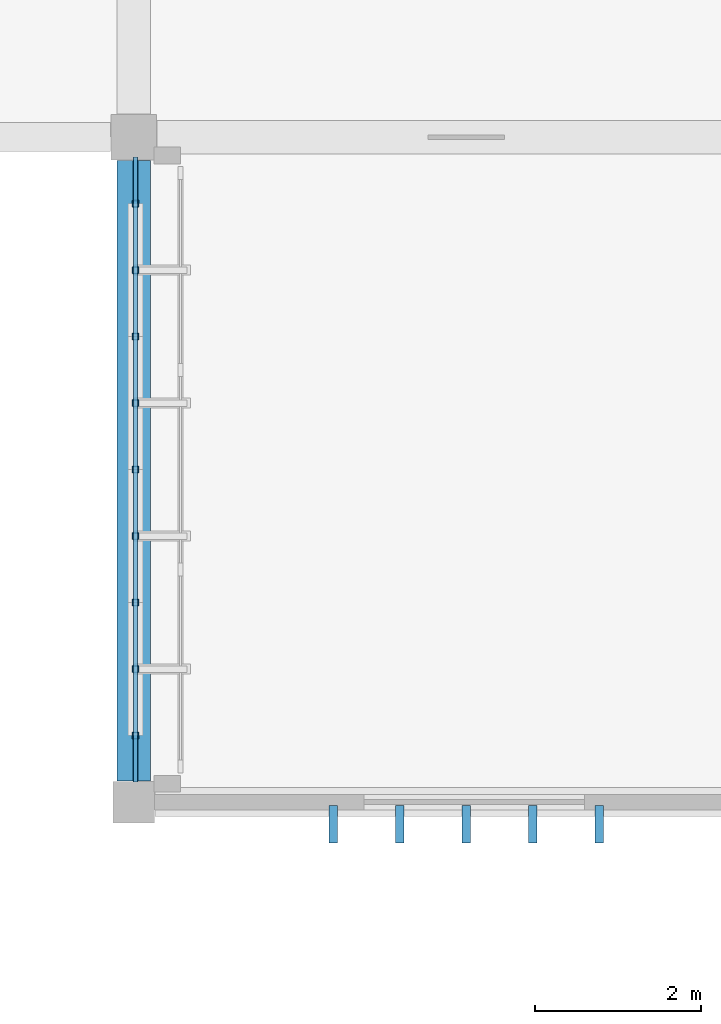
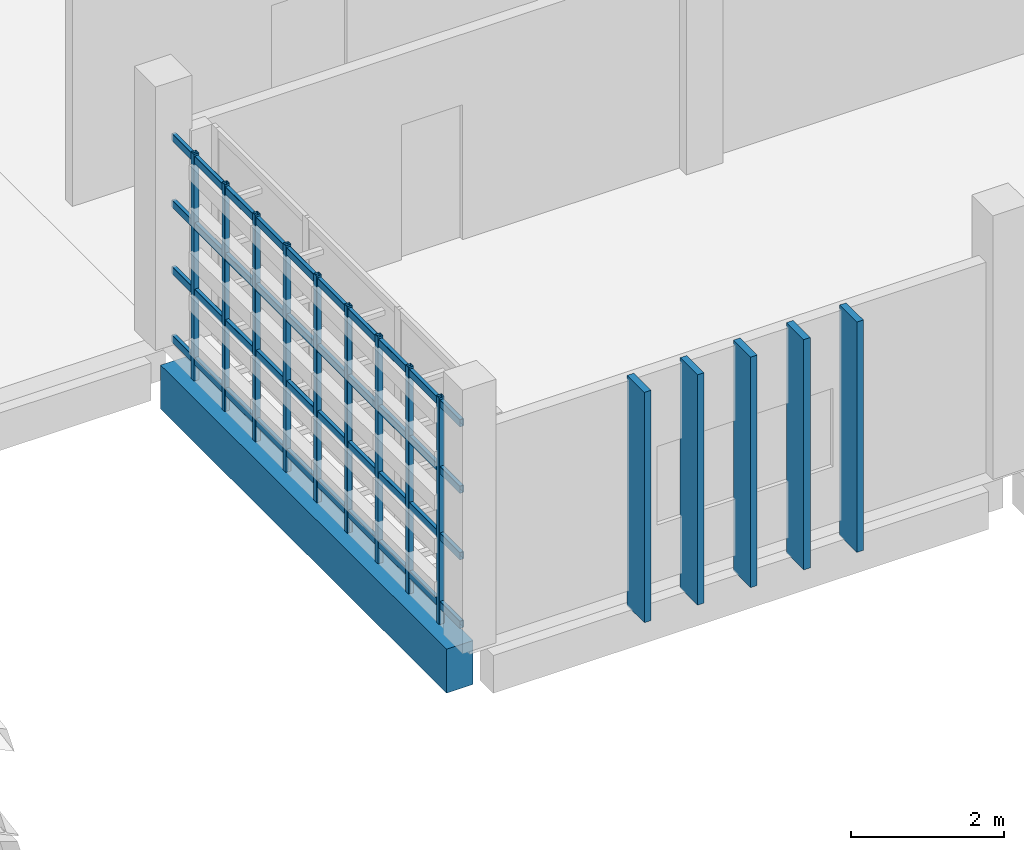
# One storey, part 12 of 83: 18 members, 1 beam.
"""IFC4 building model written with IfcOpenShell, lengths in metres."""

from ifc_helpers import new_model, si_unit, direction, frame, origin, origin_2d, place, context, subcontext, project, spatial, rectangle, hollow_rectangle, extrude, material, material_profile, profile_set, type_object, element, save


model = new_model("IFC4")

# Units and contexts
model_context = context("Model", 3, precision=1e-05, world=origin(), true_north=direction((0.0, 1.0)))
body_context = subcontext(model_context, "Body", "Model", "MODEL_VIEW")
ifc_project = project(units=[si_unit("LENGTHUNIT", "METRE"), si_unit("AREAUNIT", "SQUARE_METRE"), si_unit("VOLUMEUNIT", "CUBIC_METRE"), si_unit("PLANEANGLEUNIT", "RADIAN"), si_unit("MASSUNIT", "GRAM", prefix="KILO")], contexts=[model_context])

# Site, building, storey
site_placement = place(None, origin())
site = spatial("IfcSite", under=ifc_project, at=site_placement, CompositionType="ELEMENT")
building_placement = place(site_placement, origin())
building = spatial("IfcBuilding", under=site, at=building_placement, Name="Jelvoka-Kovrelna Polytechnic", CompositionType="ELEMENT")
storey_placement = place(building_placement, frame((0.0, 0.0, 13.800048828125)))
storey = spatial("IfcBuildingStorey", under=building, at=storey_placement, Name="L04", CompositionType="ELEMENT", Elevation=13.800048828125)

# Beam
ifc_material_1 = material(Name="Concrete C40/50", Category="concrete")
ifc_material_profile_1 = material_profile(ifc_material_1, rectangle(XDim=0.39990234375, YDim=0.699951171875, at=origin_2d()), Name="RC 400x700")
ifc_profile_set_1 = profile_set([ifc_material_profile_1], Name="Concrete C40/50")
beam_type = type_object("IfcBeamType", Name="Beam_RC_400x700", PredefinedType="BEAM", material=ifc_profile_set_1)
beam_placement = place(storey_placement, frame((56.0, 8.2548828125, -0.60009765625), z_axis=(0.0, 1.0, 0.0), x_axis=(-1.0, 0.0, 0.0)))
element("IfcBeam", 1, at=beam_placement, inside=storey, type_object=beam_type, Name="L04 beam 1132", PredefinedType="BEAM", context=body_context, shape_type="SweptSolid", body=[
    extrude(rectangle(XDim=0.39990234375, YDim=0.699951171875, at=origin_2d()), origin(), (0.0, 0.0, 1.0), 7.465087890625),
])

# Members
ifc_material_2 = material(Name="Precast concrete C40/50", Category="concrete")
ifc_material_profile_2 = material_profile(ifc_material_2, rectangle(XDim=0.10009765625, YDim=0.449951171875, at=origin_2d()), Name="PC 100x450")
ifc_profile_set_2 = profile_set([ifc_material_profile_2], Name="Precast concrete C40/50")
member_type_1 = type_object("IfcMemberType", Name="Louvre_Fin_100x450", PredefinedType="USERDEFINED", material=ifc_profile_set_2)
for number, where, z_axis, x_axis, name in (
    (2, (58.39990234375, 7.735107421875, -0.27001953125), (0.0, 0.0, 1.0), (1.0, 0.0, 0.0), "L04 B1 south vertical solar louvre fin 0336"),
    (3, (59.199951171875, 7.735107421875, -0.27001953125), (0.0, 0.0, 1.0), (1.0, 0.0, 0.0), "L04 B1 south vertical solar louvre fin 0337"),
    (4, (60.0, 7.735107421875, -0.27001953125), (0.0, 0.0, 1.0), (1.0, 0.0, 0.0), "L04 B1 south vertical solar louvre fin 0338"),
    (5, (60.800048828125, 7.735107421875, -0.27001953125), (0.0, 0.0, 1.0), (1.0, 0.0, 0.0), "L04 B1 south vertical solar louvre fin 0339"),
    (6, (61.60009765625, 7.735107421875, -0.27001953125), (0.0, 0.0, 1.0), (1.0, 0.0, 0.0), "L04 B1 south vertical solar louvre fin 0340"),
):
    element("IfcMember", number, at=place(storey_placement, frame(where, z_axis=z_axis, x_axis=x_axis)), inside=storey, type_object=member_type_1, Name=name, ObjectType="SUNSHADE", PredefinedType="USERDEFINED", context=body_context, shape_type="SweptSolid", body=[
        extrude(rectangle(XDim=0.10009765625, YDim=0.449951171875, at=origin_2d()), origin(), (0.0, 0.0, 1.0), 3.669921875),
    ])
ifc_material_3 = material(Name="Structural steel S355J2H", Category="steel")
ifc_material_profile_3 = material_profile(ifc_material_3, hollow_rectangle(XDim=0.06005859375, YDim=0.1201171875, WallThickness=0.0048828125, InnerFilletRadius=0.0048828125, OuterFilletRadius=0.007568359375, at=origin_2d()), Name="120x60x5.0 RHS")
ifc_profile_set_3 = profile_set([ifc_material_profile_3], Name="Structural steel S355J2H")
member_type_2 = type_object("IfcMemberType", Name="Member_Strut_RHS120", PredefinedType="STRUT", material=ifc_profile_set_3)
for number, where, z_axis, x_axis, name in (
    (7, (56.02001953125, 8.239990234375, 0.079833984375), (0.0, 1.0, 0.0), (-1.0, 0.0, 0.0), "L04 terracotta screen horizontal strut 0040"),
    (8, (56.02001953125, 8.239990234375, 1.17138671875), (0.0, 1.0, 0.0), (-1.0, 0.0, 0.0), "L04 terracotta screen horizontal strut 0041"),
    (9, (56.02001953125, 8.239990234375, 2.230712890625), (0.0, 1.0, 0.0), (-1.0, 0.0, 0.0), "L04 terracotta screen horizontal strut 0042"),
    (10, (56.02001953125, 8.239990234375, 3.2900390625), (0.0, 1.0, 0.0), (-1.0, 0.0, 0.0), "L04 terracotta screen horizontal strut 0043"),
):
    element("IfcMember", number, at=place(storey_placement, frame(where, z_axis=z_axis, x_axis=x_axis)), inside=storey, type_object=member_type_2, Name=name, PredefinedType="STRUT", context=body_context, shape_type="SweptSolid", body=[
        extrude(hollow_rectangle(XDim=0.06005859375, YDim=0.1201171875, WallThickness=0.0048828125, InnerFilletRadius=0.0048828125, OuterFilletRadius=0.007568359375, at=origin_2d()), origin(), (0.0, 0.0, 1.0), 7.52001953125),
    ])
ifc_material_4 = material(Name="Structural steel S355J2H", Category="steel")
ifc_material_profile_4 = material_profile(ifc_material_4, hollow_rectangle(XDim=0.080078125, YDim=0.080078125, WallThickness=0.0048828125, InnerFilletRadius=0.0048828125, OuterFilletRadius=0.007568359375, at=origin_2d()), Name="80x80x5.0 SHS")
ifc_profile_set_4 = profile_set([ifc_material_profile_4], Name="Structural steel S355J2H")
member_type_3 = type_object("IfcMemberType", Name="Member_Strut_SHS80", PredefinedType="STRUT", material=ifc_profile_set_4)
for number, where, z_axis, x_axis, name in (
    (11, (56.02001953125, 8.800048828125, -0.22998046875), (0.0, 0.0, 1.0), (1.0, 0.0, 0.0), "L04 terracotta lattice vertical rib 0044"),
    (12, (56.02001953125, 9.60009765625, -0.22998046875), (0.0, 0.0, 1.0), (1.0, 0.0, 0.0), "L04 terracotta lattice vertical rib 0045"),
    (13, (56.02001953125, 10.39990234375, -0.22998046875), (0.0, 0.0, 1.0), (1.0, 0.0, 0.0), "L04 terracotta lattice vertical rib 0046"),
    (14, (56.02001953125, 11.199951171875, -0.22998046875), (0.0, 0.0, 1.0), (1.0, 0.0, 0.0), "L04 terracotta lattice vertical rib 0047"),
    (15, (56.02001953125, 12.0, -0.22998046875), (0.0, 0.0, 1.0), (1.0, 0.0, 0.0), "L04 terracotta lattice vertical rib 0048"),
    (16, (56.02001953125, 12.800048828125, -0.22998046875), (0.0, 0.0, 1.0), (1.0, 0.0, 0.0), "L04 terracotta lattice vertical rib 0049"),
    (17, (56.02001953125, 13.60009765625, -0.22998046875), (0.0, 0.0, 1.0), (1.0, 0.0, 0.0), "L04 terracotta lattice vertical rib 0050"),
    (18, (56.02001953125, 14.39990234375, -0.22998046875), (0.0, 0.0, 1.0), (1.0, 0.0, 0.0), "L04 terracotta lattice vertical rib 0051"),
    (19, (56.02001953125, 15.199951171875, -0.22998046875), (0.0, 0.0, 1.0), (1.0, 0.0, 0.0), "L04 terracotta lattice vertical rib 0052"),
):
    element("IfcMember", number, at=place(storey_placement, frame(where, z_axis=z_axis, x_axis=x_axis)), inside=storey, type_object=member_type_3, Name=name, PredefinedType="STRUT", context=body_context, shape_type="SweptSolid", body=[
        extrude(hollow_rectangle(XDim=0.080078125, YDim=0.080078125, WallThickness=0.0048828125, InnerFilletRadius=0.0048828125, OuterFilletRadius=0.007568359375, at=origin_2d()), origin(), (0.0, 0.0, 1.0), 3.60986328125),
    ])

save(model, "model.ifc")
